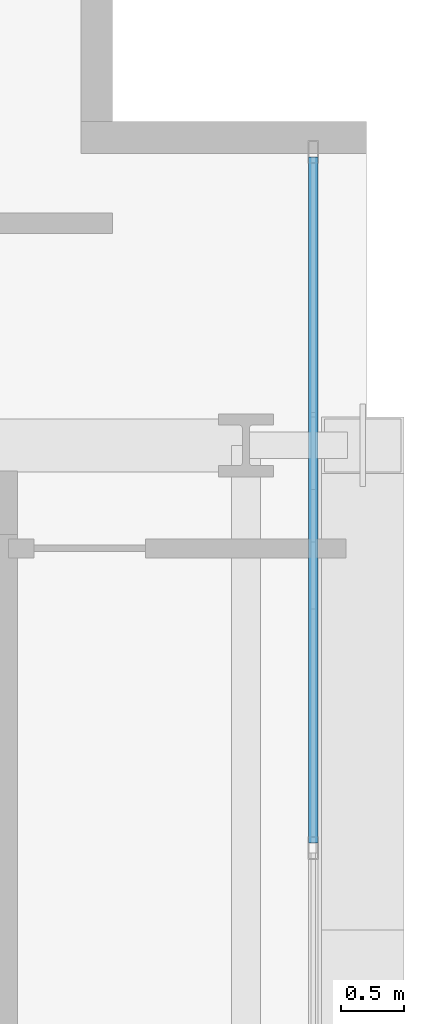
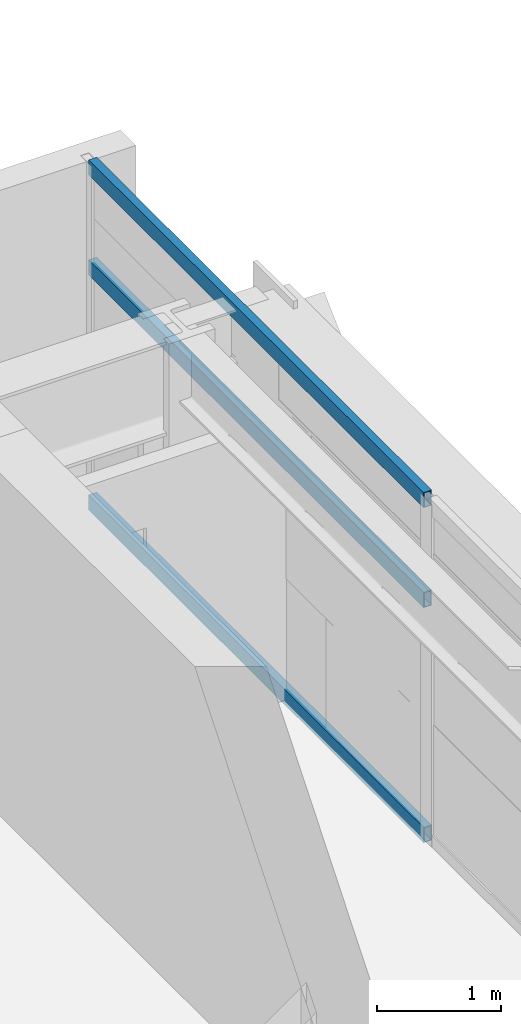
# One storey, part 15 of 32: 3 members, 1 element without a shape of its own.
"""IFC4 building model written with IfcOpenShell, lengths in metres."""

import ifcopenshell
import ifcopenshell.guid

model = None  # the IFC model being written
_history = None  # IfcOwnerHistory: only IFC2X3 demands one
_inside = {}  # id of a spatial element -> (the spatial element, [elements in it])
_under = {}  # id of a project, library or spatial element -> (it, [spatial elements below it])
_declared = {}  # id of a project -> (the project, [libraries it declares])
_typed = {}  # id of a type object -> (the type object, [elements of that type])
_made_of = {}  # id of a material, layer set ... -> (it, [elements and type objects made of it])


def new_model(schema):
    """Start an empty IFC model of exactly this schema.

    Asked for "IFC4X3", IfcOpenShell would pick the latest addendum, in which some entities
    have other attributes; the version numbers below select the first issue.
    IFC2X3 requires an IfcOwnerHistory on every rooted entity: one is made here for all.
    """
    global model, _history
    if schema == "IFC4X3":
        model = ifcopenshell.file(schema_version=(4, 3, 0, 0))
    else:
        model = ifcopenshell.file(schema=schema)
    _inside.clear()
    _under.clear()
    _declared.clear()
    _typed.clear()
    _made_of.clear()
    _history = None
    if model.schema == "IFC2X3":
        org = make("IfcOrganization", Name="unknown")
        user = make(
            "IfcPersonAndOrganization",
            ThePerson=make("IfcPerson", FamilyName="unknown"),
            TheOrganization=org,
        )
        app = make(
            "IfcApplication",
            ApplicationDeveloper=org,
            Version="unknown",
            ApplicationFullName="unknown",
            ApplicationIdentifier="unknown",
        )
        _history = make(
            "IfcOwnerHistory",
            OwningUser=user,
            OwningApplication=app,
            ChangeAction="ADDED",
            CreationDate=0,
        )
    return model


def make(cls, **values):
    """One entity of the class cls with the attributes given. An attribute that is None is left unset."""
    return model.create_entity(
        cls, **{name: value for name, value in values.items() if value is not None}
    )


def rooted(cls, **values):
    """An entity with a GlobalId (a new one), such as an element, a storey or a relation."""
    return make(cls, GlobalId=ifcopenshell.guid.new(), OwnerHistory=_history, **values)


def si_unit(unit_type, name, prefix=None):
    """IfcSIUnit, for example si_unit("LENGTHUNIT", "METRE", prefix="MILLI")."""
    return make("IfcSIUnit", UnitType=unit_type, Prefix=prefix, Name=name)


def assignment(units):
    """IfcUnitAssignment: the units of a project."""
    return None if units is None else make("IfcUnitAssignment", Units=units)


def point(xyz):
    """IfcCartesianPoint."""
    return None if xyz is None else make("IfcCartesianPoint", Coordinates=xyz)


def direction(xyz):
    """IfcDirection."""
    return None if xyz is None else make("IfcDirection", DirectionRatios=xyz)


def frame(location, z_axis=None, x_axis=None):
    """IfcAxis2Placement3D, a coordinate frame: its origin and axes. An axis left out is left unset."""
    return make(
        "IfcAxis2Placement3D",
        Location=point(location),
        Axis=direction(z_axis),
        RefDirection=direction(x_axis),
    )


def frame_2d(location, x_axis=None):
    """IfcAxis2Placement2D, a coordinate frame in the plane: its origin and x axis."""
    return make(
        "IfcAxis2Placement2D", Location=point(location), RefDirection=direction(x_axis)
    )


def origin():
    """The frame at (0, 0, 0) with its axes left unset."""
    return frame((0.0, 0.0, 0.0))


def origin_2d():
    """The frame at (0, 0) in the plane with its x axis left unset."""
    return frame_2d((0.0, 0.0))


def place(relative_to, where):
    """IfcLocalPlacement: puts the frame where relative to a parent placement (None: the world)."""
    return make(
        "IfcLocalPlacement", PlacementRelTo=relative_to, RelativePlacement=where
    )


def context(
    kind, dimensions, precision=None, world=None, true_north=None, identifier=None
):
    """IfcGeometricRepresentationContext, for example the 3D "Model" context."""
    return make(
        "IfcGeometricRepresentationContext",
        ContextIdentifier=identifier,
        ContextType=kind,
        CoordinateSpaceDimension=dimensions,
        Precision=precision,
        WorldCoordinateSystem=world,
        TrueNorth=true_north,
    )


def subcontext(parent, identifier, kind, view, scale=None):
    """IfcGeometricRepresentationSubContext, for example "Body" below "Model"."""
    return make(
        "IfcGeometricRepresentationSubContext",
        ContextIdentifier=identifier,
        ContextType=kind,
        ParentContext=parent,
        TargetScale=scale,
        TargetView=view,
    )


def project(units=None, contexts=None):
    """IfcProject with its units and contexts."""
    return rooted(
        "IfcProject",
        Name="project",
        RepresentationContexts=contexts,
        UnitsInContext=assignment(units),
    )


def spatial(cls, under=None, at=None, **own):
    """A site, building, storey or space (cls), placed at a placement, below another one or the project."""
    s = rooted(cls, ObjectPlacement=at, **own)
    if under is not None:
        _under.setdefault(under.id(), (under, []))[1].append(s)
    return s


def profile(cls, at=None, kind="AREA", **sizes):
    """A parametric profile (cls). Its sizes go by their IFC names, for example OverallWidth=200.0."""
    return make(cls, ProfileType=kind, Position=at, **sizes)


def hollow_rectangle(**sizes):
    """IfcRectangleHollowProfileDef."""
    return profile("IfcRectangleHollowProfileDef", **sizes)


def extrude(swept, where, along, depth):
    """IfcExtrudedAreaSolid: the profile swept, set in the frame where, extruded along a direction by depth."""
    return make(
        "IfcExtrudedAreaSolid",
        SweptArea=swept,
        Position=where,
        ExtrudedDirection=direction(along),
        Depth=depth,
    )


def shape(context_of_items, identifier, shape_type, items):
    """IfcShapeRepresentation: the items that make up one representation, for example the "Body"."""
    return make(
        "IfcShapeRepresentation",
        ContextOfItems=context_of_items,
        RepresentationIdentifier=identifier,
        RepresentationType=shape_type,
        Items=items,
    )


def source(mapping_origin, context_of_items, identifier, shape_type, items):
    """IfcRepresentationMap: a shape defined once, which mapped items show again and again."""
    return make(
        "IfcRepresentationMap",
        MappingOrigin=mapping_origin,
        MappedRepresentation=shape(context_of_items, identifier, shape_type, items),
    )


def transform(
    local_origin,
    x_axis=None,
    y_axis=None,
    z_axis=None,
    scale=None,
    scale2=None,
    scale3=None,
    uniform=True,
):
    """IfcCartesianTransformationOperator3D, or its non-uniform kind. x_axis, y_axis, z_axis: its Axis1, 2, 3."""
    if uniform:
        return make(
            "IfcCartesianTransformationOperator3D",
            Axis1=direction(x_axis),
            Axis2=direction(y_axis),
            LocalOrigin=point(local_origin),
            Scale=scale,
            Axis3=direction(z_axis),
        )
    return make(
        "IfcCartesianTransformationOperator3DnonUniform",
        Axis1=direction(x_axis),
        Axis2=direction(y_axis),
        LocalOrigin=point(local_origin),
        Scale=scale,
        Axis3=direction(z_axis),
        Scale2=scale2,
        Scale3=scale3,
    )


def mapped(mapping_source, mapping_target):
    """IfcMappedItem: shows the shape of a source again, moved by a transform."""
    return make(
        "IfcMappedItem", MappingSource=mapping_source, MappingTarget=mapping_target
    )


def material(Name=None, Category=None):
    """IfcMaterial."""
    return make("IfcMaterial", Name=Name, Category=Category)


def layer(
    of_material, thickness, ventilated=None, Name=None, Category=None, Priority=None
):
    """IfcMaterialLayer: one layer of a wall or slab, of a material (None: an air gap)."""
    return make(
        "IfcMaterialLayer",
        Material=of_material,
        LayerThickness=thickness,
        IsVentilated=ventilated,
        Name=Name,
        Category=Category,
        Priority=Priority,
    )


def layer_set(layers, Name=None):
    """IfcMaterialLayerSet."""
    return make("IfcMaterialLayerSet", MaterialLayers=layers, LayerSetName=Name)


def material_profile(
    of_material, cross_section, Name=None, Category=None, Priority=None
):
    """IfcMaterialProfile: a cross section and its material."""
    return make(
        "IfcMaterialProfile",
        Name=Name,
        Material=of_material,
        Profile=cross_section,
        Priority=Priority,
        Category=Category,
    )


def profile_set(profiles, Name=None, composite=None):
    """IfcMaterialProfileSet."""
    return make(
        "IfcMaterialProfileSet",
        Name=Name,
        MaterialProfiles=profiles,
        CompositeProfile=composite,
    )


def made_of(thing, what):
    """Note that an element or type object is made of a material, layer set ...; save() writes the relation."""
    if what is not None:
        _made_of.setdefault(what.id(), (what, []))[1].append(thing)
    return thing


def type_object(cls, material=None, **own):
    """A type object (cls), such as IfcWallType, which elements share."""
    return made_of(rooted(cls, **own), material)


def element(
    cls,
    number,
    at=None,
    inside=None,
    cuts=None,
    type_object=None,
    material=None,
    context=None,
    identifier="Body",
    shape_type=None,
    held_by="IfcProductDefinitionShape",
    body=None,
    shapes=None,
    **own,
):
    """One element of the class cls, such as IfcWall. Its Tag is "e" and its number.

    at: its placement. inside: the storey or other place that contains it. cuts: it is an
    opening in that element (IfcRelVoidsElement). A single representation is given by context,
    identifier, shape_type and body (its items); several are given by shapes. held_by: the class
    of the entity that holds the representations. save() writes the other relations.
    """
    e = rooted(cls, Tag="e%d" % number, ObjectPlacement=at, **own)
    if body is not None:
        shapes = [shape(context, identifier, shape_type, body)]
    if shapes is not None:
        e.Representation = make(held_by, Representations=shapes)
    if inside is not None:
        _inside.setdefault(inside.id(), (inside, []))[1].append(e)
    if cuts is not None:
        rooted(
            "IfcRelVoidsElement", RelatingBuildingElement=cuts, RelatedOpeningElement=e
        )
    if type_object is not None:
        _typed.setdefault(type_object.id(), (type_object, []))[1].append(e)
    return made_of(e, material)


def aggregate(whole, parts):
    """IfcRelAggregates: a whole, such as a stair, and the parts it consists of."""
    return rooted("IfcRelAggregates", RelatingObject=whole, RelatedObjects=parts)


def save(model, path):
    """Write the relations noted so far, then the file.

    IfcRelAggregates (storeys below a building ...), IfcRelContainedInSpatialStructure (elements
    in a storey), IfcRelDefinesByType, IfcRelAssociatesMaterial and IfcRelDeclares: one each for
    every whole, place, type object, material and project.
    """
    for whole, parts in _under.values():
        aggregate(whole, parts)
    for where, things in _inside.values():
        rooted(
            "IfcRelContainedInSpatialStructure",
            RelatedElements=things,
            RelatingStructure=where,
        )
    for kind, things in _typed.values():
        rooted("IfcRelDefinesByType", RelatedObjects=things, RelatingType=kind)
    for what, things in _made_of.values():
        rooted("IfcRelAssociatesMaterial", RelatedObjects=things, RelatingMaterial=what)
    for by, libraries in _declared.values():
        rooted("IfcRelDeclares", RelatingContext=by, RelatedDefinitions=libraries)
    model.write(path)


model = new_model("IFC4")

# Units and contexts
model_context = context("Model", 3, precision=1e-05, world=origin(), true_north=direction((0.0, 1.0)))
body_context = subcontext(model_context, "Body", "Model", "MODEL_VIEW")
ifc_project = project(units=[si_unit("LENGTHUNIT", "METRE"), si_unit("AREAUNIT", "SQUARE_METRE"), si_unit("VOLUMEUNIT", "CUBIC_METRE"), si_unit("PLANEANGLEUNIT", "RADIAN"), si_unit("MASSUNIT", "GRAM", prefix="KILO")], contexts=[model_context])

# Site, building, storey
site_placement = place(None, origin())
site = spatial("IfcSite", under=ifc_project, at=site_placement, CompositionType="ELEMENT")
building_placement = place(site_placement, origin())
building = spatial("IfcBuilding", under=site, at=building_placement, Name="Ocotamira Hotel", CompositionType="ELEMENT")
storey_placement = place(building_placement, frame((0.0, 0.0, 206.39990234375)))
storey = spatial("IfcBuildingStorey", under=building, at=storey_placement, Name="L52", CompositionType="ELEMENT", Elevation=206.39990234375)

# Curtain wall, members
ifc_material_1 = material(Name="Anodised pale-metal aluminium and solar glass", Category="aluminium")
ifc_layer = layer(ifc_material_1, 0.199951171875)
ifc_layer_set = layer_set([ifc_layer], Name="Anodised pale-metal aluminium and solar glass")
curtain_wall_type = type_object("IfcCurtainWallType", Name="CW-SYS4-Z3", PredefinedType="NOTDEFINED", material=ifc_layer_set)
curtain_wall_placement = place(storey_placement, origin())
curtain_wall = element("IfcCurtainWall", 1, at=curtain_wall_placement, inside=storey, type_object=curtain_wall_type, Name="L52 Curtain Wall CW-4 CW-L52-E", PredefinedType="NOTDEFINED")
ifc_material_2 = material(Name="Anodised pale-metal aluminium 6063-T6", Category="aluminium")
ifc_material_profile = material_profile(ifc_material_2, hollow_rectangle(XDim=0.074951171875, YDim=0.14990234375, WallThickness=0.006103515625, at=origin_2d()), Name="HSS150X75X6")
ifc_profile_set = profile_set([ifc_material_profile], Name="Anodised pale-metal aluminium 6063-T6")
member_type = type_object("IfcMemberType", Name="CWT-150X75", PredefinedType="USERDEFINED", material=ifc_profile_set)
shared_shape = source(origin(), body_context, "Body", "SweptSolid", [
    extrude(hollow_rectangle(XDim=0.074951171875, YDim=0.14990234375, WallThickness=0.006103515625, at=origin_2d()), origin(), (0.0, 0.0, 1.0), 5.39990234375),
])
member_1_placement = place(storey_placement, frame((55.580078125, 34.320068359375, 0.03759765625), z_axis=(0.0, 1.0, 0.0), x_axis=(-1.0, 0.0, 0.0)))
member_1 = element("IfcMember", 2, at=member_1_placement, type_object=member_type, Name="CW-4 transom 5.1", ObjectType="TRANSOM", PredefinedType="USERDEFINED", context=body_context, shape_type="MappedRepresentation", body=[
    mapped(shared_shape, transform((0.0, 0.0, 0.0), scale=1.0)),
])
member_2_placement = place(storey_placement, frame((55.580078125, 34.320068359375, 2.35009765625), z_axis=(0.0, 1.0, 0.0), x_axis=(-1.0, 0.0, 0.0)))
member_2 = element("IfcMember", 3, at=member_2_placement, type_object=member_type, Name="CW-4 transom 5.2", ObjectType="TRANSOM", PredefinedType="USERDEFINED", context=body_context, shape_type="MappedRepresentation", body=[
    mapped(shared_shape, transform((0.0, 0.0, 0.0), scale=1.0)),
])
member_3_placement = place(storey_placement, frame((55.580078125, 34.320068359375, 3.33251953125), z_axis=(0.0, 1.0, 0.0), x_axis=(-1.0, 0.0, 0.0)))
member_3 = element("IfcMember", 4, at=member_3_placement, type_object=member_type, Name="CW-4 transom 5.3", ObjectType="TRANSOM", PredefinedType="USERDEFINED", context=body_context, shape_type="MappedRepresentation", body=[
    mapped(shared_shape, transform((0.0, 0.0, 0.0), scale=1.0)),
])
aggregate(curtain_wall, [member_1, member_2, member_3])

save(model, "model.ifc")
